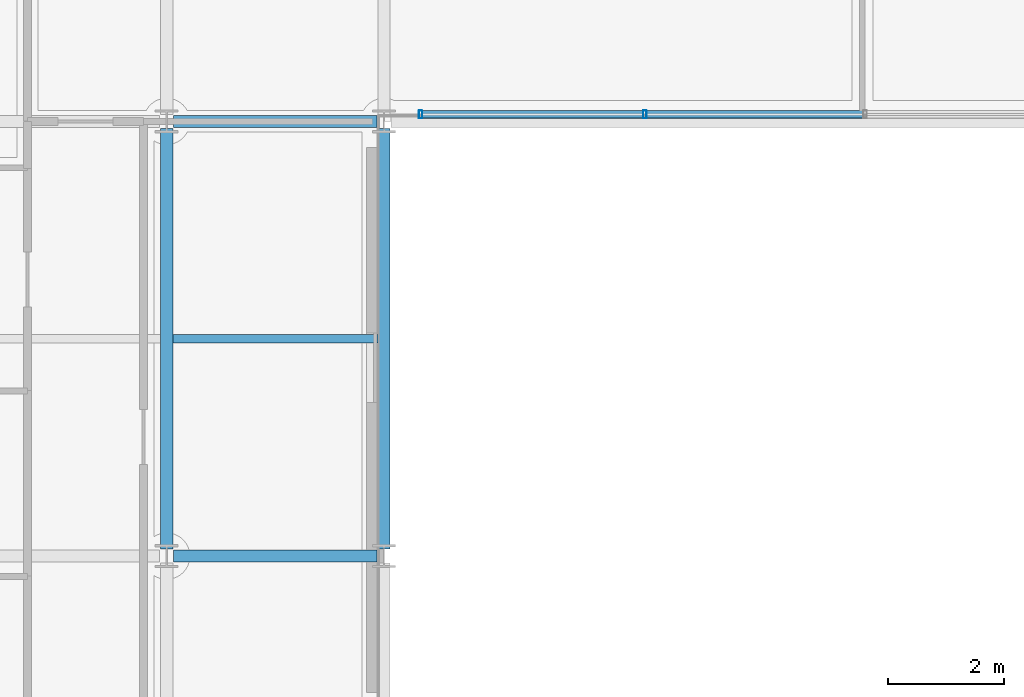
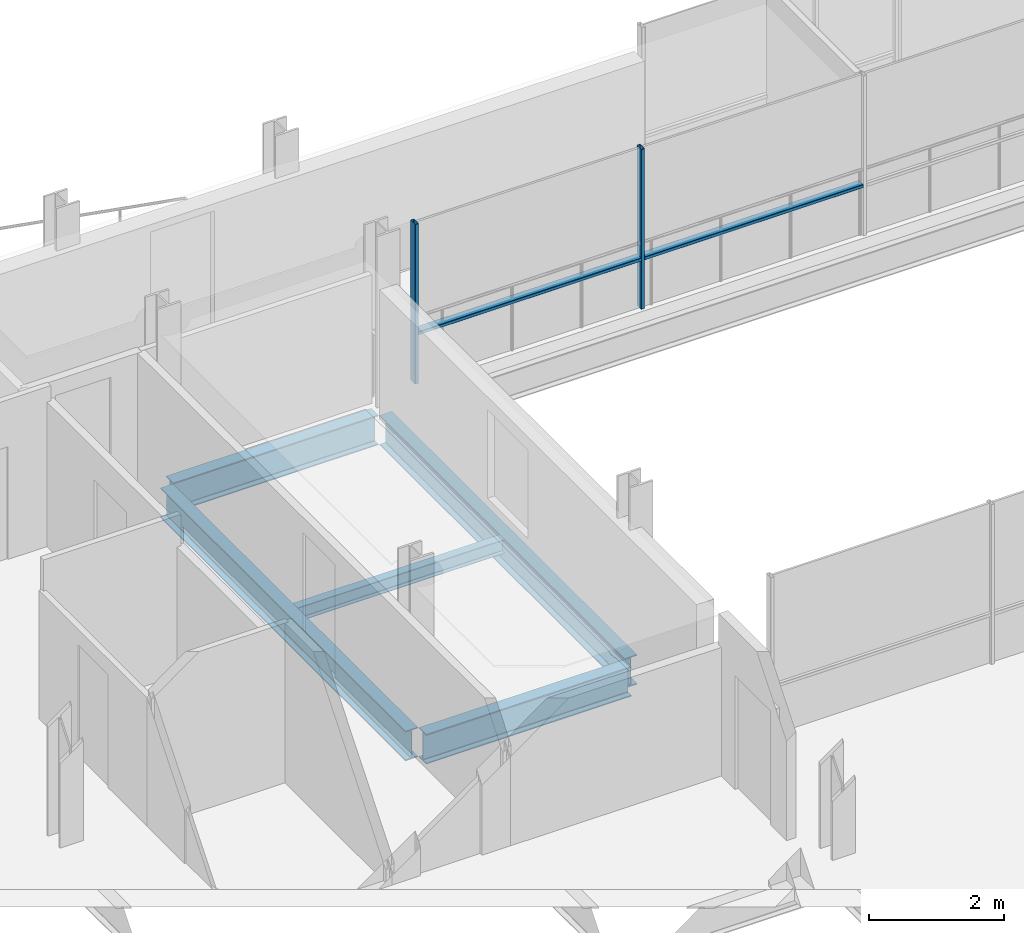
# One storey, part 9 of 38: 5 beams, 4 members, 1 element without a shape of its own.
"""IFC4 building model written with IfcOpenShell, lengths in metres."""

from ifc_helpers import new_model, si_unit, direction, frame, origin, origin_2d, place, context, subcontext, project, spatial, hollow_rectangle, i_section, extrude, material, layer, layer_set, material_profile, profile_set, type_object, element, aggregate, save


model = new_model("IFC4")

# Units and contexts
model_context = context("Model", 3, precision=1e-05, world=origin(), true_north=direction((0.0, 1.0)))
body_context = subcontext(model_context, "Body", "Model", "MODEL_VIEW")
ifc_project = project(units=[si_unit("LENGTHUNIT", "METRE"), si_unit("AREAUNIT", "SQUARE_METRE"), si_unit("VOLUMEUNIT", "CUBIC_METRE"), si_unit("PLANEANGLEUNIT", "RADIAN"), si_unit("MASSUNIT", "GRAM", prefix="KILO")], contexts=[model_context])

# Site, building, storey
site_placement = place(None, origin())
site = spatial("IfcSite", under=ifc_project, at=site_placement, CompositionType="ELEMENT")
building_placement = place(site_placement, origin())
building = spatial("IfcBuilding", under=site, at=building_placement, Name="Brevholm Reach", CompositionType="ELEMENT")
storey_placement = place(building_placement, frame((0.0, 0.0, 186.300048828125)))
storey = spatial("IfcBuildingStorey", under=building, at=storey_placement, Name="L56", CompositionType="ELEMENT", Elevation=186.300048828125)

# Beams
ifc_material_1 = material(Name="Structural Steel S355J2", Category="steel")
ifc_material_profile_1 = material_profile(ifc_material_1, i_section(OverallWidth=0.14599609375, OverallDepth=0.25146484375, WebThickness=0.006103515625, FlangeThickness=0.008544921875, FilletRadius=0.007568359375, at=origin_2d()), Name="UKB 254x146x31")
ifc_profile_set_1 = profile_set([ifc_material_profile_1], Name="Structural Steel S355J2")
beam_type_1 = type_object("IfcBeamType", Name="BM-B254", PredefinedType="BEAM", material=ifc_profile_set_1)
beam_placement = place(storey_placement, frame((18.10546875, 19.75, -0.335693359375), z_axis=(1.0, 0.0, 0.0), x_axis=(0.0, 1.0, 0.0)))
element("IfcBeam", 1, at=beam_placement, inside=storey, type_object=beam_type_1, Name="L56 Composite Secondary Floor Beam", PredefinedType="BEAM", context=body_context, shape_type="SweptSolid", body=[
    extrude(i_section(OverallWidth=0.14599609375, OverallDepth=0.25146484375, WebThickness=0.006103515625, FlangeThickness=0.008544921875, FilletRadius=0.007568359375, at=origin_2d()), origin(), (0.0, 0.0, 1.0), 3.5390625),
])
ifc_material_2 = material(Name="Structural Steel S355J2", Category="steel")
ifc_material_profile_2 = material_profile(ifc_material_2, i_section(OverallWidth=0.210693359375, OverallDepth=0.53955078125, WebThickness=0.01171875, FlangeThickness=0.018798828125, FilletRadius=0.0126953125, at=origin_2d()), Name="UKB 533x210x109")
ifc_profile_set_2 = profile_set([ifc_material_profile_2], Name="Structural Steel S355J2")
beam_type_2 = type_object("IfcBeamType", Name="BM-SP539", PredefinedType="SPANDREL", material=ifc_profile_set_2)
for number, where, z_axis, x_axis, name in (
    (2, (18.1201171875, 16.0, -0.479736328125), (1.0, 0.0, 0.0), (0.0, 1.0, 0.0), "L56 SP-01B Framing Beam"),
    (3, (18.1201171875, 23.5, -0.479736328125), (1.0, 0.0, 0.0), (0.0, 1.0, 0.0), "L56 SP-01B Framing Beam"),
):
    element("IfcBeam", number, at=place(storey_placement, frame(where, z_axis=z_axis, x_axis=x_axis)), inside=storey, type_object=beam_type_2, Name=name, PredefinedType="SPANDREL", context=body_context, shape_type="SweptSolid", body=[
        extrude(i_section(OverallWidth=0.210693359375, OverallDepth=0.53955078125, WebThickness=0.01171875, FlangeThickness=0.018798828125, FilletRadius=0.0126953125, at=origin_2d()), origin(), (0.0, 0.0, 1.0), 3.509765625),
    ])
for number, where, z_axis, x_axis, name in (
    (4, (18.0, 16.1201171875, -0.479736328125), (0.0, 1.0, 0.0), (-1.0, 0.0, 0.0), "L56 SP-01B Framing Beam"),
    (5, (21.75, 16.1201171875, -0.479736328125), (0.0, 1.0, 0.0), (-1.0, 0.0, 0.0), "L56 SP-01B Framing Beam"),
):
    element("IfcBeam", number, at=place(storey_placement, frame(where, z_axis=z_axis, x_axis=x_axis)), inside=storey, type_object=beam_type_2, Name=name, PredefinedType="SPANDREL", context=body_context, shape_type="SweptSolid", body=[
        extrude(i_section(OverallWidth=0.210693359375, OverallDepth=0.53955078125, WebThickness=0.01171875, FlangeThickness=0.018798828125, FilletRadius=0.0126953125, at=origin_2d()), origin(), (0.0, 0.0, 1.0), 7.259765625),
    ])

# Curtain wall, members
ifc_material_3 = material(Name="Dark Anodised Aluminium 6063-T6 and Solar-Control Glass", Category="aluminium")
ifc_layer = layer(ifc_material_3, 0.139892578125)
ifc_layer_set = layer_set([ifc_layer], Name="Dark Anodised Aluminium 6063-T6 and Solar-Control Glass")
curtain_wall_type = type_object("IfcCurtainWallType", Name="CW-02", PredefinedType="NOTDEFINED", material=ifc_layer_set)
curtain_wall_placement = place(storey_placement, origin())
curtain_wall = element("IfcCurtainWall", 6, at=curtain_wall_placement, inside=storey, type_object=curtain_wall_type, Name="L56 Curtain Wall CW-02", PredefinedType="NOTDEFINED")
ifc_material_4 = material(Name="Dark Anodised Aluminium 6063-T6", Category="aluminium")
ifc_material_profile_3 = material_profile(ifc_material_4, hollow_rectangle(XDim=0.06005859375, YDim=0.139892578125, WallThickness=0.0048828125, InnerFilletRadius=0.0048828125, OuterFilletRadius=0.010009765625, at=origin_2d()), Name="RHS 140x60x5")
ifc_profile_set_3 = profile_set([ifc_material_profile_3], Name="Dark Anodised Aluminium 6063-T6")
member_type_1 = type_object("IfcMemberType", Name="CWM-140", PredefinedType="MULLION", material=ifc_profile_set_3)
member_1_placement = place(storey_placement, frame((26.25, 23.6201171875, 0.0), z_axis=(0.0, 0.0, 1.0), x_axis=(-1.0, 0.0, 0.0)))
member_1 = element("IfcMember", 7, at=member_1_placement, type_object=member_type_1, Name="CM-140 Mullion 4", PredefinedType="MULLION", context=body_context, shape_type="SweptSolid", body=[
    extrude(hollow_rectangle(XDim=0.06005859375, YDim=0.139892578125, WallThickness=0.0048828125, InnerFilletRadius=0.0048828125, OuterFilletRadius=0.010009765625, at=origin_2d()), origin(), (0.0, 0.0, 1.0), 2.889892578125),
])
member_2_placement = place(storey_placement, frame((22.3798828125, 23.6201171875, 0.0), z_axis=(0.0, 0.0, 1.0), x_axis=(-1.0, 0.0, 0.0)))
member_2 = element("IfcMember", 8, at=member_2_placement, type_object=member_type_1, Name="CM-140 Mullion 5", PredefinedType="MULLION", context=body_context, shape_type="SweptSolid", body=[
    extrude(hollow_rectangle(XDim=0.06005859375, YDim=0.139892578125, WallThickness=0.0048828125, InnerFilletRadius=0.0048828125, OuterFilletRadius=0.010009765625, at=origin_2d()), origin(), (0.0, 0.0, 1.0), 2.889892578125),
])
ifc_material_5 = material(Name="Dark Anodised Aluminium 6063-T6", Category="aluminium")
ifc_material_profile_4 = material_profile(ifc_material_5, hollow_rectangle(XDim=0.06005859375, YDim=0.139892578125, WallThickness=0.0048828125, InnerFilletRadius=0.0048828125, OuterFilletRadius=0.010009765625, at=origin_2d()), Name="RHS 140x60x5")
ifc_profile_set_4 = profile_set([ifc_material_profile_4], Name="Dark Anodised Aluminium 6063-T6")
member_type_2 = type_object("IfcMemberType", Name="CWT-140", PredefinedType="NOTDEFINED", material=ifc_profile_set_4)
member_3_placement = place(storey_placement, frame((30.02001953125, 23.6201171875, 0.89990234375), z_axis=(-1.0, 0.0, 0.0), x_axis=(0.0, 0.0, 1.0)))
member_3 = element("IfcMember", 9, at=member_3_placement, type_object=member_type_2, Name="CT-140 Transom 3.1", ObjectType="TRANSOM", PredefinedType="USERDEFINED", context=body_context, shape_type="SweptSolid", body=[
    extrude(hollow_rectangle(XDim=0.06005859375, YDim=0.139892578125, WallThickness=0.0048828125, InnerFilletRadius=0.0048828125, OuterFilletRadius=0.010009765625, at=origin_2d()), origin(), (0.0, 0.0, 1.0), 3.739990234375),
])
member_4_placement = place(storey_placement, frame((26.219970703125, 23.6201171875, 0.89990234375), z_axis=(-1.0, 0.0, 0.0), x_axis=(0.0, 0.0, 1.0)))
member_4 = element("IfcMember", 10, at=member_4_placement, type_object=member_type_2, Name="CT-140 Transom 4.1", ObjectType="TRANSOM", PredefinedType="USERDEFINED", context=body_context, shape_type="SweptSolid", body=[
    extrude(hollow_rectangle(XDim=0.06005859375, YDim=0.139892578125, WallThickness=0.0048828125, InnerFilletRadius=0.0048828125, OuterFilletRadius=0.010009765625, at=origin_2d()), origin(), (0.0, 0.0, 1.0), 3.81005859375),
])
aggregate(curtain_wall, [member_1, member_2, member_3, member_4])

save(model, "model.ifc")
